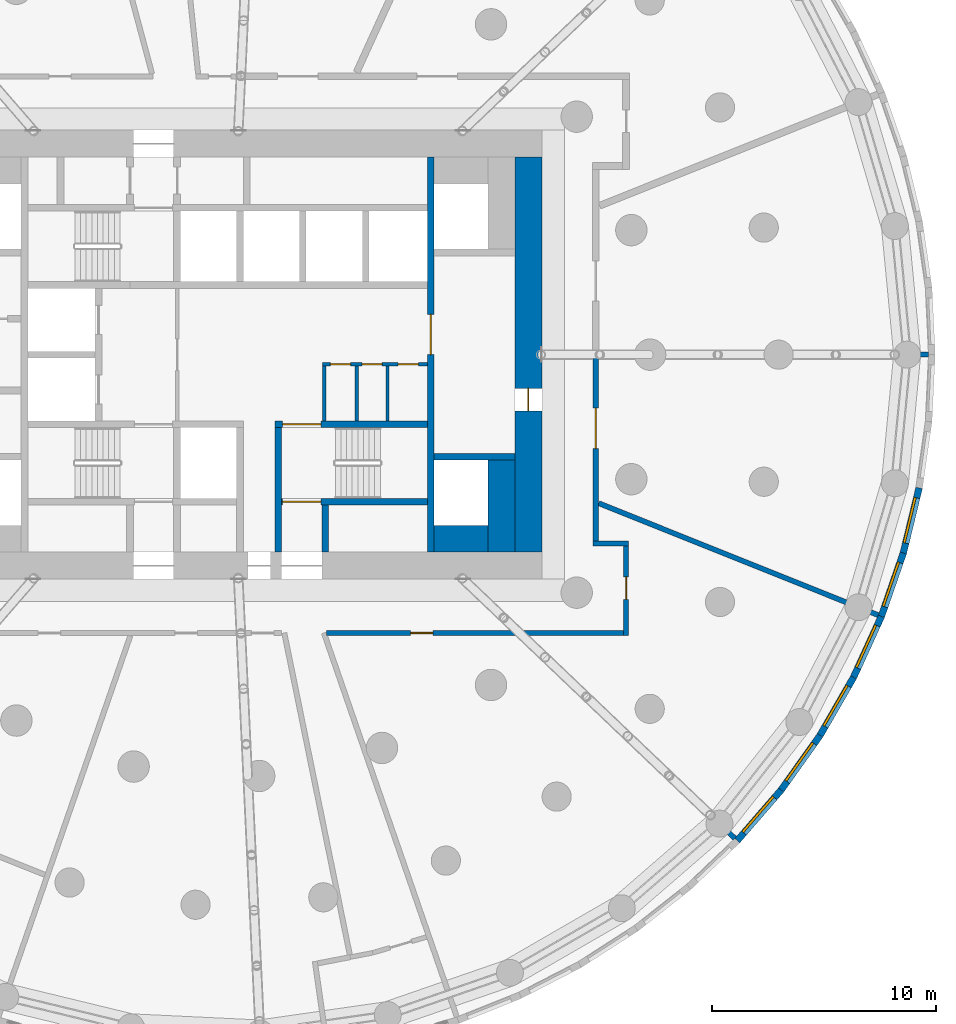
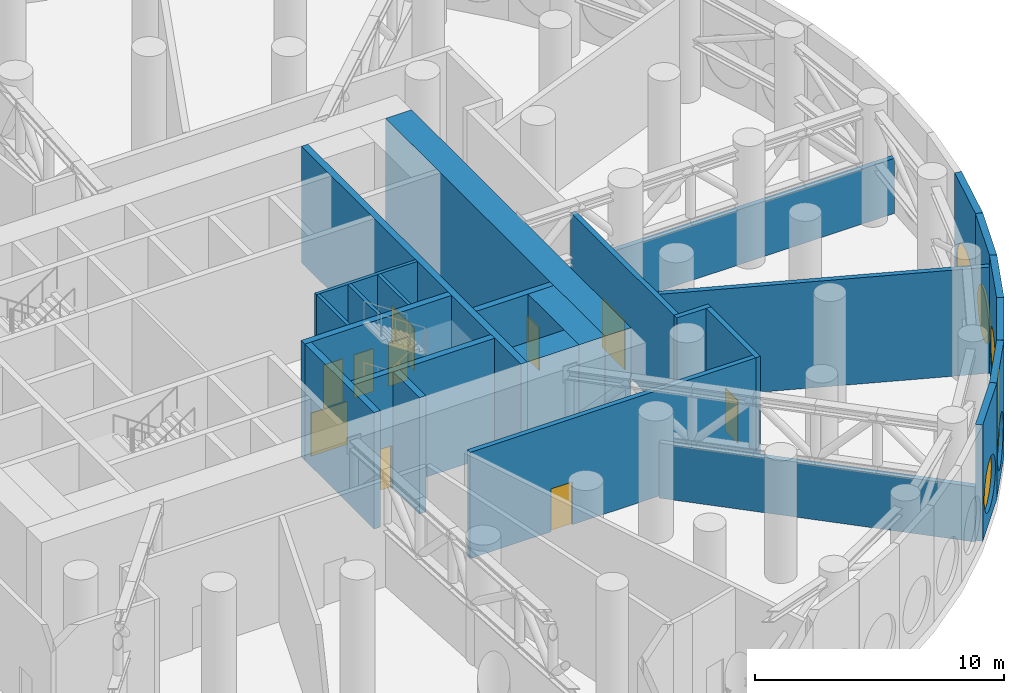
# One storey, part 11 of 17: 26 walls, 10 doors, 6 windows, 16 openings.
"""IFC4 building model written with IfcOpenShell, lengths in metres."""

from ifc_helpers import new_model, si_unit, direction, frame, frame_2d, origin, origin_2d, place, context, subcontext, project, spatial, rectangle, circle, extrude, material, layer, layer_set, type_object, element, fill, save


model = new_model("IFC4")

# Units and contexts
model_context = context("Model", 3, precision=1e-05, world=origin(), true_north=direction((0.0, 1.0)))
body_context = subcontext(model_context, "Body", "Model", "MODEL_VIEW")
ifc_project = project(units=[si_unit("LENGTHUNIT", "METRE"), si_unit("AREAUNIT", "SQUARE_METRE"), si_unit("VOLUMEUNIT", "CUBIC_METRE"), si_unit("PLANEANGLEUNIT", "RADIAN"), si_unit("MASSUNIT", "GRAM", prefix="KILO")], contexts=[model_context])

# Site, building, storey
site_placement = place(None, origin())
site = spatial("IfcSite", under=ifc_project, at=site_placement, CompositionType="ELEMENT")
building_placement = place(site_placement, origin())
building = spatial("IfcBuilding", under=site, at=building_placement, Name="Tracery Tower", CompositionType="ELEMENT")
storey_placement = place(building_placement, frame((0.0, 0.0, 120.0)))
storey = spatial("IfcBuildingStorey", under=building, at=storey_placement, Name="L30 Plant", CompositionType="ELEMENT", Elevation=120.0)

# Wall
ifc_material_1 = material(Name="Plasterboard on steel studs", Category="steel")
ifc_layer_1 = layer(ifc_material_1, 0.14990234375)
ifc_layer_set_1 = layer_set([ifc_layer_1], Name="Core room partition 150")
wall_type_1 = type_object("IfcWallType", Name="Core room partition 150", PredefinedType="SOLIDWALL", material=ifc_layer_set_1)
wall_1_placement = place(storey_placement, frame((4.300048828125, -2.949951171875, 0.0), z_axis=(0.0, 0.0, 1.0), x_axis=(0.0, 1.0, 0.0)))
element("IfcWall", 1, at=wall_1_placement, inside=storey, type_object=wall_type_1, Name="L30 Plant slot W", PredefinedType="SOLIDWALL", context=body_context, shape_type="SweptSolid", body=[
    extrude(rectangle(XDim=2.449951171875, YDim=0.14990234375, at=frame_2d((1.22509765625, 0.0))), origin(), (0.0, 0.0, 1.0), 5.699951171875),
])

# Wall, openings, doors
wall_2_placement = place(storey_placement, frame((4.22509765625, -0.425048828125, 0.0), z_axis=(0.0, 0.0, 1.0), x_axis=(1.0, 0.0, 0.0)))
wall_2 = element("IfcWall", 2, at=wall_2_placement, inside=storey, type_object=wall_type_1, Name="L30 Plant slot N", PredefinedType="SOLIDWALL", context=body_context, shape_type="SweptSolid", body=[
    extrude(rectangle(XDim=4.6748046875, YDim=0.14990234375, at=frame_2d((2.33740234375, 0.0))), origin(), (0.0, 0.0, 1.0), 5.699951171875),
])
opening_1_placement = place(wall_2_placement, frame((0.35009765625, 0.0, 0.0)))
opening_1 = element("IfcOpeningElement", 3, at=opening_1_placement, cuts=wall_2, Name="Opening KD37", PredefinedType="OPENING", context=body_context, shape_type="SweptSolid", body=[
    extrude(rectangle(XDim=0.89990234375, YDim=2.10009765625, at=frame_2d((0.449951171875, 1.050048828125))), frame((0.0, 0.074951171875, 0.0), z_axis=(0.0, -1.0, 0.0), x_axis=(1.0, 0.0, 0.0)), (0.0, 0.0, 1.0), 0.14990234375),
])
opening_2_placement = place(wall_2_placement, frame((1.762451171875, 0.0, 0.0)))
opening_2 = element("IfcOpeningElement", 4, at=opening_2_placement, cuts=wall_2, Name="Opening KD36", PredefinedType="OPENING", context=body_context, shape_type="SweptSolid", body=[
    extrude(rectangle(XDim=0.89990234375, YDim=2.10009765625, at=frame_2d((0.449951171875, 1.050048828125))), frame((0.0, 0.074951171875, 0.0), z_axis=(0.0, -1.0, 0.0), x_axis=(1.0, 0.0, 0.0)), (0.0, 0.0, 1.0), 0.14990234375),
])
opening_3_placement = place(wall_2_placement, frame((3.375, 0.0, 0.0)))
opening_3 = element("IfcOpeningElement", 5, at=opening_3_placement, cuts=wall_2, Name="Opening KD37", PredefinedType="OPENING", context=body_context, shape_type="SweptSolid", body=[
    extrude(rectangle(XDim=0.89990234375, YDim=2.10009765625, at=frame_2d((0.449951171875, 1.050048828125))), frame((0.0, 0.074951171875, 0.0), z_axis=(0.0, -1.0, 0.0), x_axis=(1.0, 0.0, 0.0)), (0.0, 0.0, 1.0), 0.14990234375),
])
ifc_material_2 = material(Name="Steel fire door", Category="steel")
door_type_1 = type_object("IfcDoorType", Name="Core plant door 900", OperationType="NOTDEFINED", PredefinedType="DOOR", material=ifc_material_2)
door_1_placement = place(opening_1_placement, origin())
door_1 = element("IfcDoor", 6, at=door_1_placement, inside=storey, type_object=door_type_1, Name="Core door", OperationType="SINGLE_SWING_RIGHT", OverallHeight=2.10009765625, OverallWidth=0.89990234375, PredefinedType="DOOR", context=body_context, shape_type="SweptSolid", body=[
    extrude(rectangle(XDim=0.89990234375, YDim=2.10009765625, at=frame_2d((0.449951171875, 1.050048828125))), frame((0.0, 0.02490234375, 0.0), z_axis=(0.0, -1.0, 0.0), x_axis=(1.0, 0.0, 0.0)), (0.0, 0.0, 1.0), 0.050048828125),
])
fill(opening_1, door_1)
door_2_placement = place(opening_2_placement, origin())
door_2 = element("IfcDoor", 7, at=door_2_placement, inside=storey, type_object=door_type_1, Name="Core door", OperationType="SINGLE_SWING_LEFT", OverallHeight=2.10009765625, OverallWidth=0.89990234375, PredefinedType="DOOR", context=body_context, shape_type="SweptSolid", body=[
    extrude(rectangle(XDim=0.89990234375, YDim=2.10009765625, at=frame_2d((0.449951171875, 1.050048828125))), frame((0.0, 0.02490234375, 0.0), z_axis=(0.0, -1.0, 0.0), x_axis=(1.0, 0.0, 0.0)), (0.0, 0.0, 1.0), 0.050048828125),
])
fill(opening_2, door_2)
door_3_placement = place(opening_3_placement, origin())
door_3 = element("IfcDoor", 8, at=door_3_placement, inside=storey, type_object=door_type_1, Name="Core door", OperationType="SINGLE_SWING_RIGHT", OverallHeight=2.10009765625, OverallWidth=0.89990234375, PredefinedType="DOOR", context=body_context, shape_type="SweptSolid", body=[
    extrude(rectangle(XDim=0.89990234375, YDim=2.10009765625, at=frame_2d((0.449951171875, 1.050048828125))), frame((0.0, 0.02490234375, 0.0), z_axis=(0.0, -1.0, 0.0), x_axis=(1.0, 0.0, 0.0)), (0.0, 0.0, 1.0), 0.050048828125),
])
fill(opening_3, door_3)

# Walls
for number, where, z_axis, x_axis, name in (
    (9, (5.75, -2.949951171875, 0.0), (0.0, 0.0, 1.0), (0.0, 1.0, 0.0), "L30 Plant slot sep 1"),
    (10, (7.125, -2.949951171875, 0.0), (0.0, 0.0, 1.0), (0.0, 1.0, 0.0), "L30 Plant slot sep 2"),
):
    element("IfcWall", number, at=place(storey_placement, frame(where, z_axis=z_axis, x_axis=x_axis)), inside=storey, type_object=wall_type_1, Name=name, PredefinedType="SOLIDWALL", context=body_context, shape_type="SweptSolid", body=[
        extrude(rectangle(XDim=2.449951171875, YDim=0.14990234375, at=frame_2d((1.22509765625, 0.0))), origin(), (0.0, 0.0, 1.0), 5.699951171875),
    ])
ifc_material_3 = material(Name="Concrete C60/75", Category="concrete")
ifc_layer_2 = layer(ifc_material_3, 1.199951171875)
ifc_layer_set_2 = layer_set([ifc_layer_2], Name="Core strip wall 1200 C60")
wall_type_2 = type_object("IfcWallType", Name="Core strip wall 1200 C60", PredefinedType="SOLIDWALL", material=ifc_layer_set_2)
wall_3_placement = place(storey_placement, frame((12.199951171875, -8.800048828125, 0.0), z_axis=(0.0, 0.0, 1.0), x_axis=(0.0, 1.0, 0.0)))
element("IfcWall", 11, at=wall_3_placement, inside=storey, type_object=wall_type_2, Name="L30 Plant wing strip +1 -9.4", PredefinedType="SOLIDWALL", context=body_context, shape_type="SweptSolid", body=[
    extrude(rectangle(XDim=4.10009765625, YDim=1.199951171875, at=frame_2d((2.050048828125, 0.0))), origin(), (0.0, 0.0, 1.0), 5.699951171875),
])
wall_4_placement = place(storey_placement, frame((9.199951171875, -8.199951171875, 0.0), z_axis=(0.0, 0.0, 1.0), x_axis=(1.0, 0.0, 0.0)))
element("IfcWall", 12, at=wall_4_placement, inside=storey, type_object=wall_type_2, Name="L30 Plant wing corner +1 -8.2", PredefinedType="SOLIDWALL", context=body_context, shape_type="SweptSolid", body=[
    extrude(rectangle(XDim=2.400146484375, YDim=1.199951171875, at=frame_2d((1.2001953125, 0.0))), origin(), (0.0, 0.0, 1.0), 5.699951171875),
])

# Wall, opening, door
ifc_material_4 = material(Name="Concrete C60/75", Category="concrete")
ifc_layer_3 = layer(ifc_material_4, 1.199951171875)
ifc_layer_set_3 = layer_set([ifc_layer_3], Name="Core wall 1200 C60")
wall_type_3 = type_object("IfcWallType", Name="Core wall 1200 C60", PredefinedType="SOLIDWALL", material=ifc_layer_set_3)
wall_5_placement = place(storey_placement, frame((13.39990234375, -8.800048828125, 0.0), z_axis=(0.0, 0.0, 1.0), x_axis=(0.0, 1.0, 0.0)))
wall_5 = element("IfcWall", 13, at=wall_5_placement, inside=storey, type_object=wall_type_3, Name="L30 Plant outer E", PredefinedType="SOLIDWALL", context=body_context, shape_type="SweptSolid", body=[
    extrude(rectangle(XDim=17.60009765625, YDim=1.199951171875, at=frame_2d((8.800048828125, 0.0))), origin(), (0.0, 0.0, 1.0), 5.699951171875),
])
opening_4_placement = place(wall_5_placement, frame((6.300048828125, 0.0, 0.0)))
opening_4 = element("IfcOpeningElement", 14, at=opening_4_placement, cuts=wall_5, Name="Opening KD18", PredefinedType="OPENING", context=body_context, shape_type="SweptSolid", body=[
    extrude(rectangle(XDim=1.0, YDim=2.10009765625, at=frame_2d((0.5, 1.050048828125))), frame((0.0, 0.60009765625, 0.0), z_axis=(0.0, -1.0, 0.0), x_axis=(1.0, 0.0, 0.0)), (0.0, 0.0, 1.0), 1.199951171875),
])
ifc_material_5 = material(Name="Steel fire door", Category="steel")
door_type_2 = type_object("IfcDoorType", Name="Core exit door 1000", OperationType="NOTDEFINED", PredefinedType="DOOR", material=ifc_material_5)
door_4_placement = place(opening_4_placement, origin())
door_4 = element("IfcDoor", 15, at=door_4_placement, inside=storey, type_object=door_type_2, Name="Core exit door", OperationType="DOUBLE_DOOR_SINGLE_SWING", OverallHeight=2.10009765625, OverallWidth=1.0, PredefinedType="DOOR", context=body_context, shape_type="SweptSolid", body=[
    extrude(rectangle(XDim=1.0, YDim=2.10009765625, at=frame_2d((0.5, 1.050048828125))), frame((0.0, 0.02490234375, 0.0), z_axis=(0.0, -1.0, 0.0), x_axis=(1.0, 0.0, 0.0)), (0.0, 0.0, 1.0), 0.050048828125),
])
fill(opening_4, door_4)

# Wall, opening, window
ifc_material_6 = material(Name="Precast concrete C50/60", Category="concrete")
ifc_layer_4 = layer(ifc_material_6, 0.300048828125)
ifc_layer_set_4 = layer_set([ifc_layer_4], Name="Plant louvre panel 3000 x 5700")
wall_type_4 = type_object("IfcWallType", Name="Plant louvre panel 3000 x 5700", PredefinedType="SOLIDWALL", material=ifc_layer_set_4)
wall_6_placement = place(storey_placement, frame((22.706787109375, -21.65087890625, 0.0), z_axis=(0.0, 0.0, 1.0), x_axis=(0.654809121128, 0.755794294029, 0.0)))
wall_6 = element("IfcWall", 16, at=wall_6_placement, inside=storey, type_object=wall_type_4, Name="Plant louvre panel 59 at L30 Plant", PredefinedType="SOLIDWALL", context=body_context, shape_type="SweptSolid", body=[
    extrude(rectangle(XDim=2.98583984375, YDim=0.300048828125, at=frame_2d((1.492919921875, 0.0))), origin(), (0.0, 0.0, 1.0), 5.699951171875),
])
opening_5_placement = place(wall_6_placement, frame((1.492919921875, 0.0, 1.800048828125)))
opening_5 = element("IfcOpeningElement", 17, at=opening_5_placement, cuts=wall_6, Name="Opening LV1", PredefinedType="OPENING", context=body_context, shape_type="SweptSolid", body=[
    extrude(circle(Radius=1.199951171875, at=origin_2d()), frame((0.0, 0.159912109375, 0.0), z_axis=(0.0, -1.0, 0.0), x_axis=(1.0, 0.0, 0.0)), (0.0, 0.0, 1.0), 0.320068359375),
])
ifc_material_7 = material(Name="Aluminium louvre, bronze anodised", Category="aluminium")
window_type = type_object("IfcWindowType", Name="Louvred oculus 2400, sill 600", PartitioningType="SINGLE_PANEL", PredefinedType="WINDOW", material=ifc_material_7)
window_1_placement = place(opening_5_placement, origin())
window_1 = element("IfcWindow", 18, at=window_1_placement, inside=storey, type_object=window_type, Name="Louvred oculus 59 at L30 Plant", OverallHeight=2.39990234375, OverallWidth=2.39990234375, PartitioningType="SINGLE_PANEL", PredefinedType="WINDOW", context=body_context, shape_type="SweptSolid", body=[
    extrude(circle(Radius=1.199951171875, at=origin_2d()), frame((0.0, 0.1201171875, 0.0), z_axis=(0.0, -1.0, 0.0), x_axis=(1.0, 0.0, 0.0)), (0.0, 0.0, 1.0), 0.10009765625),
])
fill(opening_5, window_1)

wall_7_placement = place(storey_placement, frame((24.661865234375, -19.394287109375, 0.0), z_axis=(0.0, 0.0, 1.0), x_axis=(0.580100533892, 0.814544885551, 0.0)))
wall_7 = element("IfcWall", 19, at=wall_7_placement, inside=storey, type_object=wall_type_4, Name="Plant louvre panel 60 at L30 Plant", PredefinedType="SOLIDWALL", context=body_context, shape_type="SweptSolid", body=[
    extrude(rectangle(XDim=2.985595703125, YDim=0.300048828125, at=frame_2d((1.49267578125, 0.0))), origin(), (0.0, 0.0, 1.0), 5.699951171875),
])
opening_6_placement = place(wall_7_placement, frame((1.492919921875, 0.0, 1.800048828125)))
opening_6 = element("IfcOpeningElement", 20, at=opening_6_placement, cuts=wall_7, Name="Opening LV1", PredefinedType="OPENING", context=body_context, shape_type="SweptSolid", body=[
    extrude(circle(Radius=1.199951171875, at=origin_2d()), frame((0.0, 0.159912109375, 0.0), z_axis=(0.0, -1.0, 0.0), x_axis=(1.0, 0.0, 0.0)), (0.0, 0.0, 1.0), 0.320068359375),
])
window_2_placement = place(opening_6_placement, origin())
window_2 = element("IfcWindow", 21, at=window_2_placement, inside=storey, type_object=window_type, Name="Louvred oculus 60 at L30 Plant", OverallHeight=2.39990234375, OverallWidth=2.39990234375, PartitioningType="SINGLE_PANEL", PredefinedType="WINDOW", context=body_context, shape_type="SweptSolid", body=[
    extrude(circle(Radius=1.199951171875, at=origin_2d()), frame((0.0, 0.1201171875, 0.0), z_axis=(0.0, -1.0, 0.0), x_axis=(1.0, 0.0, 0.0)), (0.0, 0.0, 1.0), 0.10009765625),
])
fill(opening_6, window_2)

wall_8_placement = place(storey_placement, frame((26.393798828125, -16.96240234375, 0.0), z_axis=(0.0, 0.0, 1.0), x_axis=(0.500017373705, 0.866015372839, 0.0)))
wall_8 = element("IfcWall", 22, at=wall_8_placement, inside=storey, type_object=wall_type_4, Name="Plant louvre panel 61 at L30 Plant", PredefinedType="SOLIDWALL", context=body_context, shape_type="SweptSolid", body=[
    extrude(rectangle(XDim=2.98583984375, YDim=0.300048828125, at=frame_2d((1.492919921875, 0.0))), origin(), (0.0, 0.0, 1.0), 5.699951171875),
])
opening_7_placement = place(wall_8_placement, frame((1.492919921875, 0.0, 1.800048828125)))
opening_7 = element("IfcOpeningElement", 23, at=opening_7_placement, cuts=wall_8, Name="Opening LV1", PredefinedType="OPENING", context=body_context, shape_type="SweptSolid", body=[
    extrude(circle(Radius=1.199951171875, at=origin_2d()), frame((0.0, 0.159912109375, 0.0), z_axis=(0.0, -1.0, 0.0), x_axis=(1.0, 0.0, 0.0)), (0.0, 0.0, 1.0), 0.320068359375),
])
window_3_placement = place(opening_7_placement, origin())
window_3 = element("IfcWindow", 24, at=window_3_placement, inside=storey, type_object=window_type, Name="Louvred oculus 61 at L30 Plant", OverallHeight=2.39990234375, OverallWidth=2.39990234375, PartitioningType="SINGLE_PANEL", PredefinedType="WINDOW", context=body_context, shape_type="SweptSolid", body=[
    extrude(circle(Radius=1.199951171875, at=origin_2d()), frame((0.0, 0.1201171875, 0.0), z_axis=(0.0, -1.0, 0.0), x_axis=(1.0, 0.0, 0.0)), (0.0, 0.0, 1.0), 0.10009765625),
])
fill(opening_7, window_3)

wall_9_placement = place(storey_placement, frame((27.88671875, -14.376708984375, 0.0), z_axis=(0.0, 0.0, 1.0), x_axis=(0.415373250944, 0.909651066289, 0.0)))
wall_9 = element("IfcWall", 25, at=wall_9_placement, inside=storey, type_object=wall_type_4, Name="Plant louvre panel 62 at L30 Plant", PredefinedType="SOLIDWALL", context=body_context, shape_type="SweptSolid", body=[
    extrude(rectangle(XDim=2.98583984375, YDim=0.300048828125, at=frame_2d((1.492919921875, 0.0))), origin(), (0.0, 0.0, 1.0), 5.699951171875),
])
opening_8_placement = place(wall_9_placement, frame((1.492919921875, 0.0, 1.800048828125)))
opening_8 = element("IfcOpeningElement", 26, at=opening_8_placement, cuts=wall_9, Name="Opening LV1", PredefinedType="OPENING", context=body_context, shape_type="SweptSolid", body=[
    extrude(circle(Radius=1.199951171875, at=origin_2d()), frame((0.0, 0.159912109375, 0.0), z_axis=(0.0, -1.0, 0.0), x_axis=(1.0, 0.0, 0.0)), (0.0, 0.0, 1.0), 0.320068359375),
])
window_4_placement = place(opening_8_placement, origin())
window_4 = element("IfcWindow", 27, at=window_4_placement, inside=storey, type_object=window_type, Name="Louvred oculus 62 at L30 Plant", OverallHeight=2.39990234375, OverallWidth=2.39990234375, PartitioningType="SINGLE_PANEL", PredefinedType="WINDOW", context=body_context, shape_type="SweptSolid", body=[
    extrude(circle(Radius=1.199951171875, at=origin_2d()), frame((0.0, 0.1201171875, 0.0), z_axis=(0.0, -1.0, 0.0), x_axis=(1.0, 0.0, 0.0)), (0.0, 0.0, 1.0), 0.10009765625),
])
fill(opening_8, window_4)

wall_10_placement = place(storey_placement, frame((29.126953125, -11.66064453125, 0.0), z_axis=(0.0, 0.0, 1.0), x_axis=(0.327074054052, 0.944998710669, 0.0)))
wall_10 = element("IfcWall", 28, at=wall_10_placement, inside=storey, type_object=wall_type_4, Name="Plant louvre panel 63 at L30 Plant", PredefinedType="SOLIDWALL", context=body_context, shape_type="SweptSolid", body=[
    extrude(rectangle(XDim=2.98583984375, YDim=0.300048828125, at=frame_2d((1.492919921875, 0.0))), origin(), (0.0, 0.0, 1.0), 5.699951171875),
])
opening_9_placement = place(wall_10_placement, frame((1.492919921875, 0.0, 1.800048828125)))
opening_9 = element("IfcOpeningElement", 29, at=opening_9_placement, cuts=wall_10, Name="Opening LV1", PredefinedType="OPENING", context=body_context, shape_type="SweptSolid", body=[
    extrude(circle(Radius=1.199951171875, at=origin_2d()), frame((0.0, 0.159912109375, 0.0), z_axis=(0.0, -1.0, 0.0), x_axis=(1.0, 0.0, 0.0)), (0.0, 0.0, 1.0), 0.320068359375),
])
window_5_placement = place(opening_9_placement, origin())
window_5 = element("IfcWindow", 30, at=window_5_placement, inside=storey, type_object=window_type, Name="Louvred oculus 63 at L30 Plant", OverallHeight=2.39990234375, OverallWidth=2.39990234375, PartitioningType="SINGLE_PANEL", PredefinedType="WINDOW", context=body_context, shape_type="SweptSolid", body=[
    extrude(circle(Radius=1.199951171875, at=origin_2d()), frame((0.0, 0.1201171875, 0.0), z_axis=(0.0, -1.0, 0.0), x_axis=(1.0, 0.0, 0.0)), (0.0, 0.0, 1.0), 0.10009765625),
])
fill(opening_9, window_5)

wall_11_placement = place(storey_placement, frame((30.103515625, -8.839111328125, 0.0), z_axis=(0.0, 0.0, 1.0), x_axis=(0.235756834479, 0.971812078026, 0.0)))
wall_11 = element("IfcWall", 31, at=wall_11_placement, inside=storey, type_object=wall_type_4, Name="Plant louvre panel 64 at L30 Plant", PredefinedType="SOLIDWALL", context=body_context, shape_type="SweptSolid", body=[
    extrude(rectangle(XDim=2.985595703125, YDim=0.300048828125, at=frame_2d((1.49267578125, 0.0))), origin(), (0.0, 0.0, 1.0), 5.699951171875),
])
opening_10_placement = place(wall_11_placement, frame((1.492919921875, 0.0, 1.800048828125)))
opening_10 = element("IfcOpeningElement", 32, at=opening_10_placement, cuts=wall_11, Name="Opening LV1", PredefinedType="OPENING", context=body_context, shape_type="SweptSolid", body=[
    extrude(circle(Radius=1.199951171875, at=origin_2d()), frame((0.0, 0.159912109375, 0.0), z_axis=(0.0, -1.0, 0.0), x_axis=(1.0, 0.0, 0.0)), (0.0, 0.0, 1.0), 0.320068359375),
])
window_6_placement = place(opening_10_placement, origin())
window_6 = element("IfcWindow", 33, at=window_6_placement, inside=storey, type_object=window_type, Name="Louvred oculus 64 at L30 Plant", OverallHeight=2.39990234375, OverallWidth=2.39990234375, PartitioningType="SINGLE_PANEL", PredefinedType="WINDOW", context=body_context, shape_type="SweptSolid", body=[
    extrude(circle(Radius=1.199951171875, at=origin_2d()), frame((0.0, 0.1201171875, 0.0), z_axis=(0.0, -1.0, 0.0), x_axis=(1.0, 0.0, 0.0)), (0.0, 0.0, 1.0), 0.10009765625),
])
fill(opening_10, window_6)

# Wall, opening, door
ifc_material_8 = material(Name="Concrete blockwork", Category="masonry")
ifc_layer_5 = layer(ifc_material_8, 0.22509765625)
ifc_layer_set_5 = layer_set([ifc_layer_5], Name="Plant room block wall 225")
wall_type_5 = type_object("IfcWallType", Name="Plant room block wall 225", PredefinedType="PARTITIONING", material=ifc_layer_set_5)
wall_12_placement = place(storey_placement, frame((4.41064453125, -12.39990234375, 0.0), z_axis=(0.0, 0.0, 1.0), x_axis=(1.0, 0.0, 0.0)))
wall_12 = element("IfcWall", 34, at=wall_12_placement, inside=storey, type_object=wall_type_5, Name="Plant room block wall 225", PredefinedType="PARTITIONING", context=body_context, shape_type="SweptSolid", body=[
    extrude(rectangle(XDim=13.228515625, YDim=0.22509765625, at=frame_2d((6.6142578125, 0.0))), origin(), (0.0, 0.0, 1.0), 5.199951171875),
])
opening_11_placement = place(wall_12_placement, frame((3.737548828125, 0.0, 0.0)))
opening_11 = element("IfcOpeningElement", 35, at=opening_11_placement, cuts=wall_12, Name="Opening SB-P30-19", PredefinedType="OPENING", context=body_context, shape_type="SweptSolid", body=[
    extrude(rectangle(XDim=1.0, YDim=2.10009765625, at=frame_2d((0.5, 1.050048828125))), frame((0.0, 0.112548828125, 0.0), z_axis=(0.0, -1.0, 0.0), x_axis=(1.0, 0.0, 0.0)), (0.0, 0.0, 1.0), 0.22509765625),
])
ifc_material_9 = material(Name="Steel fire door", Category="steel")
door_type_3 = type_object("IfcDoorType", Name="Plant room door 1000", OperationType="NOTDEFINED", PredefinedType="DOOR", material=ifc_material_9)
door_5_placement = place(opening_11_placement, origin())
door_5 = element("IfcDoor", 36, at=door_5_placement, inside=storey, type_object=door_type_3, Name="Plant room door 1000", OperationType="SINGLE_SWING_LEFT", OverallHeight=2.10009765625, OverallWidth=1.0, PredefinedType="DOOR", context=body_context, shape_type="SweptSolid", body=[
    extrude(rectangle(XDim=1.0, YDim=2.10009765625, at=frame_2d((0.5, 1.050048828125))), frame((0.0, 0.02490234375, 0.0), z_axis=(0.0, -1.0, 0.0), x_axis=(1.0, 0.0, 0.0)), (0.0, 0.0, 1.0), 0.050048828125),
])
fill(opening_11, door_5)

wall_13_placement = place(storey_placement, frame((16.39990234375, -8.290283203125, 0.0), z_axis=(0.0, 0.0, 1.0), x_axis=(0.0, 1.0, 0.0)))
wall_13 = element("IfcWall", 37, at=wall_13_placement, inside=storey, type_object=wall_type_5, Name="Plant room block wall 225", PredefinedType="PARTITIONING", context=body_context, shape_type="SweptSolid", body=[
    extrude(rectangle(XDim=8.290283203125, YDim=0.22509765625, at=frame_2d((4.14501953125, 0.0))), origin(), (0.0, 0.0, 1.0), 5.199951171875),
])
opening_12_placement = place(wall_13_placement, frame((4.107666015625, 0.0, 0.0)))
opening_12 = element("IfcOpeningElement", 38, at=opening_12_placement, cuts=wall_13, Name="Opening SB-P30-13", PredefinedType="OPENING", context=body_context, shape_type="SweptSolid", body=[
    extrude(rectangle(XDim=1.800048828125, YDim=2.39990234375, at=frame_2d((0.89990234375, 1.199951171875))), frame((0.0, 0.112548828125, 0.0), z_axis=(0.0, -1.0, 0.0), x_axis=(1.0, 0.0, 0.0)), (0.0, 0.0, 1.0), 0.22509765625),
])
ifc_material_10 = material(Name="Steel fire door", Category="steel")
door_type_4 = type_object("IfcDoorType", Name="Plant room double door 1800", OperationType="DOUBLE_DOOR_SINGLE_SWING", PredefinedType="DOOR", material=ifc_material_10)
door_6_placement = place(opening_12_placement, origin())
door_6 = element("IfcDoor", 39, at=door_6_placement, inside=storey, type_object=door_type_4, Name="Plant room double door 1800", OperationType="DOUBLE_DOOR_SINGLE_SWING", OverallHeight=2.39990234375, OverallWidth=1.800048828125, PredefinedType="DOOR", context=body_context, shape_type="SweptSolid", body=[
    extrude(rectangle(XDim=1.800048828125, YDim=2.39990234375, at=frame_2d((0.89990234375, 1.199951171875))), frame((0.0, 0.02490234375, 0.0), z_axis=(0.0, -1.0, 0.0), x_axis=(1.0, 0.0, 0.0)), (0.0, 0.0, 1.0), 0.050048828125),
])
fill(opening_12, door_6)

wall_14_placement = place(storey_placement, frame((17.751708984375, -12.512451171875, 0.0), z_axis=(0.0, 0.0, 1.0), x_axis=(0.0, 1.0, 0.0)))
wall_14 = element("IfcWall", 40, at=wall_14_placement, inside=storey, type_object=wall_type_5, Name="Plant room block wall 225", PredefinedType="PARTITIONING", context=body_context, shape_type="SweptSolid", body=[
    extrude(rectangle(XDim=3.9970703125, YDim=0.22509765625, at=frame_2d((1.99853515625, 0.0))), origin(), (0.0, 0.0, 1.0), 5.199951171875),
])
opening_13_placement = place(wall_14_placement, frame((1.611083984375, 0.0, 0.0)))
opening_13 = element("IfcOpeningElement", 41, at=opening_13_placement, cuts=wall_14, Name="Opening SB-P30-12", PredefinedType="OPENING", context=body_context, shape_type="SweptSolid", body=[
    extrude(rectangle(XDim=1.0, YDim=2.10009765625, at=frame_2d((0.5, 1.050048828125))), frame((0.0, 0.112548828125, 0.0), z_axis=(0.0, -1.0, 0.0), x_axis=(1.0, 0.0, 0.0)), (0.0, 0.0, 1.0), 0.22509765625),
])
door_7_placement = place(opening_13_placement, origin())
door_7 = element("IfcDoor", 42, at=door_7_placement, inside=storey, type_object=door_type_3, Name="Plant room door 1000", OperationType="SINGLE_SWING_LEFT", OverallHeight=2.10009765625, OverallWidth=1.0, PredefinedType="DOOR", context=body_context, shape_type="SweptSolid", body=[
    extrude(rectangle(XDim=1.0, YDim=2.10009765625, at=frame_2d((0.5, 1.050048828125))), frame((0.0, 0.02490234375, 0.0), z_axis=(0.0, -1.0, 0.0), x_axis=(1.0, 0.0, 0.0)), (0.0, 0.0, 1.0), 0.050048828125),
])
fill(opening_13, door_7)

# Walls
wall_15_placement = place(storey_placement, frame((17.864013671875, -8.40283203125, 0.0), z_axis=(0.0, 0.0, 1.0), x_axis=(-1.0, 0.0, 0.0)))
element("IfcWall", 43, at=wall_15_placement, inside=storey, type_object=wall_type_5, Name="Plant room block wall 225", PredefinedType="PARTITIONING", context=body_context, shape_type="SweptSolid", body=[
    extrude(rectangle(XDim=1.576416015625, YDim=0.22509765625, at=frame_2d((0.7880859375, 0.0))), origin(), (0.0, 0.0, 1.0), 5.199951171875),
])
wall_16_placement = place(storey_placement, frame((28.987548828125, -11.60498046875, 0.0), z_axis=(0.0, 0.0, 1.0), x_axis=(-0.928362433176, 0.371676193303, 0.0)))
element("IfcWall", 44, at=wall_16_placement, inside=storey, type_object=wall_type_5, Name="Plant room block wall 225", PredefinedType="PARTITIONING", context=body_context, shape_type="SweptSolid", body=[
    extrude(rectangle(XDim=13.4150390625, YDim=0.22509765625, at=frame_2d((6.70751953125, 0.0))), origin(), (0.0, 0.0, 1.0), 5.199951171875),
])
ifc_material_11 = material(Name="Concrete blockwork", Category="masonry")
ifc_layer_6 = layer(ifc_material_11, 0.22509765625)
ifc_layer_set_6 = layer_set([ifc_layer_6], Name="Plant wall under outrigger truss 225")
wall_type_6 = type_object("IfcWallType", Name="Plant wall under outrigger truss 225", PredefinedType="PARTITIONING", material=ifc_layer_set_6)
wall_17_placement = place(storey_placement, frame((22.59814453125, -21.547119140625, 0.0), z_axis=(0.0, 0.0, 1.0), x_axis=(-0.72374624757, 0.690066206337, 0.0)))
element("IfcWall", 45, at=wall_17_placement, inside=storey, type_object=wall_type_6, Name="Plant wall under outrigger truss 225", PredefinedType="PARTITIONING", context=body_context, shape_type="SweptSolid", body=[
    extrude(rectangle(XDim=13.033447265625, YDim=0.22509765625, at=frame_2d((6.5166015625, 0.0))), origin(), (0.0, 0.0, 1.0), 2.699951171875),
])
wall_18_placement = place(storey_placement, frame((31.224365234375, 0.0, 0.0), z_axis=(0.0, 0.0, 1.0), x_axis=(-1.0, 0.0, 0.0)))
element("IfcWall", 46, at=wall_18_placement, inside=storey, type_object=wall_type_6, Name="Plant wall under outrigger truss 225", PredefinedType="PARTITIONING", context=body_context, shape_type="SweptSolid", body=[
    extrude(rectangle(XDim=14.67431640625, YDim=0.22509765625, at=frame_2d((7.337158203125, 0.0))), origin(), (0.0, 0.0, 1.0), 2.699951171875),
])
ifc_material_12 = material(Name="Concrete C60/75", Category="concrete")
ifc_layer_7 = layer(ifc_material_12, 0.300048828125)
ifc_layer_set_7 = layer_set([ifc_layer_7], Name="Shaft wall 300 C60")
wall_type_7 = type_object("IfcWallType", Name="Shaft wall 300 C60", PredefinedType="SOLIDWALL", material=ifc_layer_set_7)
wall_19_placement = place(storey_placement, frame((4.35009765625, -8.800048828125, 0.0), z_axis=(0.0, 0.0, 1.0), x_axis=(0.0, 1.0, 0.0)))
element("IfcWall", 47, at=wall_19_placement, inside=storey, type_object=wall_type_7, Name="L30 Plant band S +4.35", PredefinedType="SOLIDWALL", context=body_context, shape_type="SweptSolid", body=[
    extrude(rectangle(XDim=2.10009765625, YDim=0.300048828125, at=frame_2d((1.050048828125, 0.0))), origin(), (0.0, 0.0, 1.0), 5.699951171875),
])
wall_20_placement = place(storey_placement, frame((9.199951171875, -4.550048828125, 0.0), z_axis=(0.0, 0.0, 1.0), x_axis=(1.0, 0.0, 0.0)))
element("IfcWall", 48, at=wall_20_placement, inside=storey, type_object=wall_type_7, Name="L30 Plant wing shaft wall +1 -4.55", PredefinedType="SOLIDWALL", context=body_context, shape_type="SweptSolid", body=[
    extrude(rectangle(XDim=3.60009765625, YDim=0.300048828125, at=frame_2d((1.800048828125, 0.0))), origin(), (0.0, 0.0, 1.0), 5.699951171875),
])

# Wall, opening, door
ifc_material_13 = material(Name="Concrete C60/75", Category="concrete")
ifc_layer_8 = layer(ifc_material_13, 0.300048828125)
ifc_layer_set_8 = layer_set([ifc_layer_8], Name="Stair wall 300 C60")
wall_type_8 = type_object("IfcWallType", Name="Stair wall 300 C60", PredefinedType="SOLIDWALL", material=ifc_layer_set_8)
wall_21_placement = place(storey_placement, frame((2.10009765625, -3.10009765625, 0.0), z_axis=(0.0, 0.0, 1.0), x_axis=(1.0, 0.0, 0.0)))
wall_21 = element("IfcWall", 49, at=wall_21_placement, inside=storey, type_object=wall_type_8, Name="L30 Plant row S E", PredefinedType="SOLIDWALL", context=body_context, shape_type="SweptSolid", body=[
    extrude(rectangle(XDim=6.7998046875, YDim=0.300048828125, at=frame_2d((3.39990234375, 0.0))), origin(), (0.0, 0.0, 1.0), 5.699951171875),
])
opening_14_placement = place(wall_21_placement, frame((0.35009765625, 0.0, 0.0)))
opening_14 = element("IfcOpeningElement", 50, at=opening_14_placement, cuts=wall_21, Name="Opening KD3", PredefinedType="OPENING", context=body_context, shape_type="SweptSolid", body=[
    extrude(rectangle(XDim=1.699951171875, YDim=2.10009765625, at=frame_2d((0.85009765625, 1.050048828125))), frame((0.0, 0.14990234375, 0.0), z_axis=(0.0, -1.0, 0.0), x_axis=(1.0, 0.0, 0.0)), (0.0, 0.0, 1.0), 0.300048828125),
])
ifc_material_14 = material(Name="Steel fire door", Category="steel")
door_type_5 = type_object("IfcDoorType", Name="Core stair door 1700 double", OperationType="NOTDEFINED", PredefinedType="DOOR", material=ifc_material_14)
door_8_placement = place(opening_14_placement, origin())
door_8 = element("IfcDoor", 51, at=door_8_placement, inside=storey, type_object=door_type_5, Name="Stair door ST2", OperationType="DOUBLE_DOOR_SINGLE_SWING", OverallHeight=2.10009765625, OverallWidth=1.699951171875, PredefinedType="DOOR", context=body_context, shape_type="SweptSolid", body=[
    extrude(rectangle(XDim=1.699951171875, YDim=2.10009765625, at=frame_2d((0.85009765625, 1.050048828125))), frame((0.0, 0.02490234375, 0.0), z_axis=(0.0, -1.0, 0.0), x_axis=(1.0, 0.0, 0.0)), (0.0, 0.0, 1.0), 0.050048828125),
])
fill(opening_14, door_8)

# Wall
wall_22_placement = place(storey_placement, frame((2.25, -8.800048828125, 0.0), z_axis=(0.0, 0.0, 1.0), x_axis=(0.0, 1.0, 0.0)))
element("IfcWall", 52, at=wall_22_placement, inside=storey, type_object=wall_type_8, Name="L30 Plant ST2 W", PredefinedType="SOLIDWALL", context=body_context, shape_type="SweptSolid", body=[
    extrude(rectangle(XDim=5.550048828125, YDim=0.300048828125, at=frame_2d((2.77490234375, 0.0))), origin(), (0.0, 0.0, 1.0), 5.699951171875),
])

# Wall, opening, door
wall_23_placement = place(storey_placement, frame((9.050048828125, -8.800048828125, 0.0), z_axis=(0.0, 0.0, 1.0), x_axis=(0.0, 1.0, 0.0)))
wall_23 = element("IfcWall", 53, at=wall_23_placement, inside=storey, type_object=wall_type_8, Name="L30 Plant F wall +9", PredefinedType="SOLIDWALL", context=body_context, shape_type="SweptSolid", body=[
    extrude(rectangle(XDim=17.60009765625, YDim=0.300048828125, at=frame_2d((8.800048828125, 0.0))), origin(), (0.0, 0.0, 1.0), 5.699951171875),
])
opening_15_placement = place(wall_23_placement, frame((8.800048828125, 0.0, 0.0)))
opening_15 = element("IfcOpeningElement", 54, at=opening_15_placement, cuts=wall_23, Name="Opening KD13", PredefinedType="OPENING", context=body_context, shape_type="SweptSolid", body=[
    extrude(rectangle(XDim=1.800048828125, YDim=2.10009765625, at=frame_2d((0.89990234375, 1.050048828125))), frame((0.0, 0.14990234375, 0.0), z_axis=(0.0, -1.0, 0.0), x_axis=(1.0, 0.0, 0.0)), (0.0, 0.0, 1.0), 0.300048828125),
])
ifc_material_15 = material(Name="Steel fire door", Category="steel")
door_type_6 = type_object("IfcDoorType", Name="Core exit door 1800 double", OperationType="NOTDEFINED", PredefinedType="DOOR", material=ifc_material_15)
door_9_placement = place(opening_15_placement, origin())
door_9 = element("IfcDoor", 55, at=door_9_placement, inside=storey, type_object=door_type_6, Name="Core exit door", OperationType="DOUBLE_DOOR_SINGLE_SWING", OverallHeight=2.10009765625, OverallWidth=1.800048828125, PredefinedType="DOOR", context=body_context, shape_type="SweptSolid", body=[
    extrude(rectangle(XDim=1.800048828125, YDim=2.10009765625, at=frame_2d((0.89990234375, 1.050048828125))), frame((0.0, 0.02490234375, 0.0), z_axis=(0.0, -1.0, 0.0), x_axis=(1.0, 0.0, 0.0)), (0.0, 0.0, 1.0), 0.050048828125),
])
fill(opening_15, door_9)

wall_24_placement = place(storey_placement, frame((2.39990234375, -6.550048828125, 0.0), z_axis=(0.0, 0.0, 1.0), x_axis=(1.0, 0.0, 0.0)))
wall_24 = element("IfcWall", 56, at=wall_24_placement, inside=storey, type_object=wall_type_8, Name="L30 Plant F S E", PredefinedType="SOLIDWALL", context=body_context, shape_type="SweptSolid", body=[
    extrude(rectangle(XDim=6.5, YDim=0.300048828125, at=frame_2d((3.25, 0.0))), origin(), (0.0, 0.0, 1.0), 5.699951171875),
])
opening_16_placement = place(wall_24_placement, frame((0.050048828125, 0.0, 0.0)))
opening_16 = element("IfcOpeningElement", 57, at=opening_16_placement, cuts=wall_24, Name="Opening KD3", PredefinedType="OPENING", context=body_context, shape_type="SweptSolid", body=[
    extrude(rectangle(XDim=1.699951171875, YDim=2.10009765625, at=frame_2d((0.85009765625, 1.050048828125))), frame((0.0, 0.14990234375, 0.0), z_axis=(0.0, -1.0, 0.0), x_axis=(1.0, 0.0, 0.0)), (0.0, 0.0, 1.0), 0.300048828125),
])
door_10_placement = place(opening_16_placement, origin())
door_10 = element("IfcDoor", 58, at=door_10_placement, inside=storey, type_object=door_type_5, Name="Stair door ST2 S", OperationType="DOUBLE_DOOR_SINGLE_SWING", OverallHeight=2.10009765625, OverallWidth=1.699951171875, PredefinedType="DOOR", context=body_context, shape_type="SweptSolid", body=[
    extrude(rectangle(XDim=1.699951171875, YDim=2.10009765625, at=frame_2d((0.85009765625, 1.050048828125))), frame((0.0, 0.02490234375, 0.0), z_axis=(0.0, -1.0, 0.0), x_axis=(1.0, 0.0, 0.0)), (0.0, 0.0, 1.0), 0.050048828125),
])
fill(opening_16, door_10)

save(model, "model.ifc")
